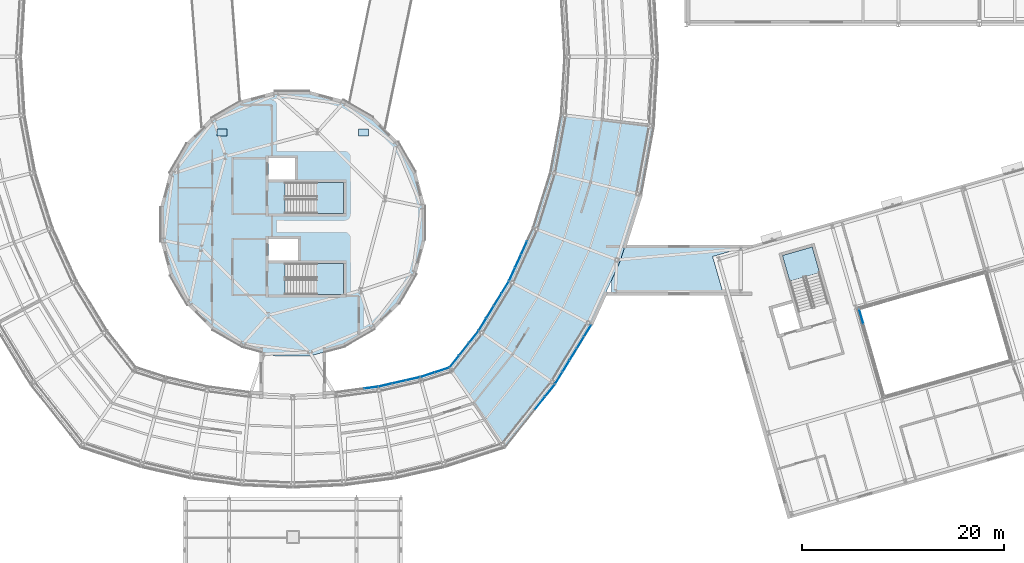
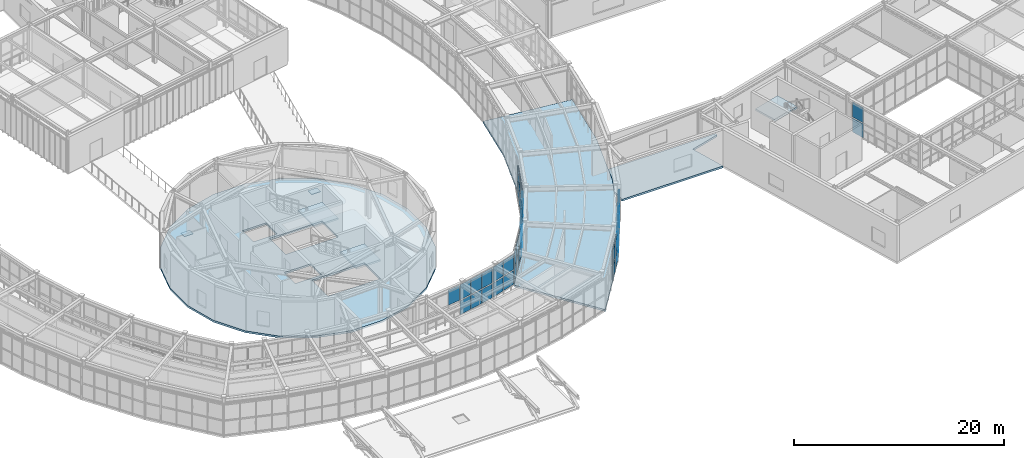
# One storey, part 60 of 103: 49 plates, 6 slabs, 12 elements without a shape of their own.
"""IFC4 building model written with IfcOpenShell, lengths in metres."""

from ifc_helpers import new_model, si_unit, direction, frame, origin, origin_2d, place, context, subcontext, project, spatial, polyline, rectangle, outline, extrude, material, layer, layer_set, type_object, element, aggregate, save


model = new_model("IFC4")

# Units and contexts
model_context = context("Model", 3, precision=1e-05, world=origin(), true_north=direction((0.0, 1.0)))
body_context = subcontext(model_context, "Body", "Model", "MODEL_VIEW")
ifc_project = project(units=[si_unit("LENGTHUNIT", "METRE"), si_unit("AREAUNIT", "SQUARE_METRE"), si_unit("VOLUMEUNIT", "CUBIC_METRE"), si_unit("PLANEANGLEUNIT", "RADIAN"), si_unit("MASSUNIT", "GRAM", prefix="KILO")], contexts=[model_context])

# Site, building, storey
site_placement = place(None, origin())
site = spatial("IfcSite", under=ifc_project, at=site_placement, CompositionType="ELEMENT")
building_placement = place(site_placement, origin())
building = spatial("IfcBuilding", under=site, at=building_placement, Name="Varnklinge Art Gallery", CompositionType="ELEMENT")
storey_placement = place(building_placement, frame((0.0, 0.0, 5.10009765625)))
storey = spatial("IfcBuildingStorey", under=building, at=storey_placement, Name="L01", CompositionType="ELEMENT", Elevation=5.10009765625)

# Curtain wall, plates
ifc_material_1 = material(Name="Anodised Aluminium", Category="aluminium")
curtain_wall_type_1 = type_object("IfcCurtainWallType", Name="CW-R04", PredefinedType="USERDEFINED", material=ifc_material_1)
curtain_wall_1_placement = place(storey_placement, origin())
curtain_wall_1 = element("IfcCurtainWall", 1, at=curtain_wall_1_placement, inside=storey, type_object=curtain_wall_type_1, Name="L01 Curtain Wall CW-V2I-L01-01", ObjectType="UNITISED CURTAIN WALL", PredefinedType="USERDEFINED")
ifc_material_2 = material(Name="Insulated Low-E Triple Glazing", Category="glass")
ifc_layer_1 = layer(ifc_material_2, 0.031982421875)
ifc_layer_set_1 = layer_set([ifc_layer_1], Name="Insulated Low-E Triple Glazing")
plate_type_1 = type_object("IfcPlateType", Name="GLZ-32", PredefinedType="CURTAIN_PANEL", material=ifc_layer_set_1)
plate_1_placement = place(storey_placement, frame((93.385009765625, 27.2763671875, 0.11767578125), z_axis=(0.0, 0.0, 1.0), x_axis=(-0.620737354217, -0.784018582101, 0.0)))
plate_1 = element("IfcPlate", 2, at=plate_1_placement, type_object=plate_type_1, Name="CW-V2I-L01-01 Glazing Panel 1.1", PredefinedType="CURTAIN_PANEL", context=body_context, shape_type="SweptSolid", body=[
    extrude(rectangle(XDim=1.4658203125, YDim=0.031982421875, at=origin_2d()), origin(), (0.0, 0.0, 1.0), 1.614501953125),
])
plate_2_placement = place(storey_placement, frame((93.385009765625, 27.2763671875, 1.84814453125), z_axis=(0.0, 0.0, 1.0), x_axis=(-0.620737354217, -0.784018582101, 0.0)))
plate_2 = element("IfcPlate", 3, at=plate_2_placement, type_object=plate_type_1, Name="CW-V2I-L01-01 Glazing Panel 1.2", PredefinedType="CURTAIN_PANEL", context=body_context, shape_type="SweptSolid", body=[
    extrude(rectangle(XDim=1.4658203125, YDim=0.031982421875, at=origin_2d()), origin(), (0.0, 0.0, 1.0), 1.763671875),
])
plate_3_placement = place(storey_placement, frame((92.430908203125, 26.0712890625, 0.11767578125), z_axis=(0.0, 0.0, 1.0), x_axis=(-0.620737354217, -0.784018582101, 0.0)))
plate_3 = element("IfcPlate", 4, at=plate_3_placement, type_object=plate_type_1, Name="CW-V2I-L01-01 Glazing Panel 2.1", PredefinedType="CURTAIN_PANEL", context=body_context, shape_type="SweptSolid", body=[
    extrude(rectangle(XDim=1.495849609375, YDim=0.031982421875, at=origin_2d()), origin(), (0.0, 0.0, 1.0), 1.614501953125),
])
plate_4_placement = place(storey_placement, frame((92.430908203125, 26.0712890625, 1.84814453125), z_axis=(0.0, 0.0, 1.0), x_axis=(-0.620737354217, -0.784018582101, 0.0)))
plate_4 = element("IfcPlate", 5, at=plate_4_placement, type_object=plate_type_1, Name="CW-V2I-L01-01 Glazing Panel 2.2", PredefinedType="CURTAIN_PANEL", context=body_context, shape_type="SweptSolid", body=[
    extrude(rectangle(XDim=1.495849609375, YDim=0.031982421875, at=origin_2d()), origin(), (0.0, 0.0, 1.0), 1.763671875),
])
plate_5_placement = place(storey_placement, frame((91.47705078125, 24.866455078125, 0.11767578125), z_axis=(0.0, 0.0, 1.0), x_axis=(-0.620737354217, -0.784018582101, 0.0)))
plate_5 = element("IfcPlate", 6, at=plate_5_placement, type_object=plate_type_1, Name="CW-V2I-L01-01 Glazing Panel 3.1", PredefinedType="CURTAIN_PANEL", context=body_context, shape_type="SweptSolid", body=[
    extrude(rectangle(XDim=1.4658203125, YDim=0.031982421875, at=origin_2d()), origin(), (0.0, 0.0, 1.0), 1.614501953125),
])
plate_6_placement = place(storey_placement, frame((91.47705078125, 24.866455078125, 1.84814453125), z_axis=(0.0, 0.0, 1.0), x_axis=(-0.620737354217, -0.784018582101, 0.0)))
plate_6 = element("IfcPlate", 7, at=plate_6_placement, type_object=plate_type_1, Name="CW-V2I-L01-01 Glazing Panel 3.2", PredefinedType="CURTAIN_PANEL", context=body_context, shape_type="SweptSolid", body=[
    extrude(rectangle(XDim=1.4658203125, YDim=0.031982421875, at=origin_2d()), origin(), (0.0, 0.0, 1.0), 1.763671875),
])
aggregate(curtain_wall_1, [plate_1, plate_2, plate_3, plate_4, plate_5, plate_6])

curtain_wall_2_placement = place(storey_placement, origin())
curtain_wall_2 = element("IfcCurtainWall", 8, at=curtain_wall_2_placement, inside=storey, type_object=curtain_wall_type_1, Name="L01 Curtain Wall CW-V2I-L01-02", ObjectType="UNITISED CURTAIN WALL", PredefinedType="USERDEFINED")
plate_7_placement = place(storey_placement, frame((96.496826171875, 32.19091796875, 0.11767578125), z_axis=(0.0, 0.0, 1.0), x_axis=(-0.520860651188, -0.85364171761, 0.0)))
plate_7 = element("IfcPlate", 9, at=plate_7_placement, type_object=plate_type_1, Name="CW-V2I-L01-02 Glazing Panel 1.1", PredefinedType="CURTAIN_PANEL", context=body_context, shape_type="SweptSolid", body=[
    extrude(rectangle(XDim=1.355712890625, YDim=0.031982421875, at=origin_2d()), origin(), (0.0, 0.0, 1.0), 1.614501953125),
])
plate_8_placement = place(storey_placement, frame((96.496826171875, 32.19091796875, 1.84814453125), z_axis=(0.0, 0.0, 1.0), x_axis=(-0.520860651188, -0.85364171761, 0.0)))
plate_8 = element("IfcPlate", 10, at=plate_8_placement, type_object=plate_type_1, Name="CW-V2I-L01-02 Glazing Panel 1.2", PredefinedType="CURTAIN_PANEL", context=body_context, shape_type="SweptSolid", body=[
    extrude(rectangle(XDim=1.355712890625, YDim=0.031982421875, at=origin_2d()), origin(), (0.0, 0.0, 1.0), 1.763671875),
])
plate_9_placement = place(storey_placement, frame((95.753662109375, 30.97314453125, 0.11767578125), z_axis=(0.0, 0.0, 1.0), x_axis=(-0.520860651188, -0.85364171761, 0.0)))
plate_9 = element("IfcPlate", 11, at=plate_9_placement, type_object=plate_type_1, Name="CW-V2I-L01-02 Glazing Panel 2.1", PredefinedType="CURTAIN_PANEL", context=body_context, shape_type="SweptSolid", body=[
    extrude(rectangle(XDim=1.3857421875, YDim=0.031982421875, at=origin_2d()), origin(), (0.0, 0.0, 1.0), 1.614501953125),
])
plate_10_placement = place(storey_placement, frame((95.753662109375, 30.97314453125, 1.84814453125), z_axis=(0.0, 0.0, 1.0), x_axis=(-0.520860651188, -0.85364171761, 0.0)))
plate_10 = element("IfcPlate", 12, at=plate_10_placement, type_object=plate_type_1, Name="CW-V2I-L01-02 Glazing Panel 2.2", PredefinedType="CURTAIN_PANEL", context=body_context, shape_type="SweptSolid", body=[
    extrude(rectangle(XDim=1.3857421875, YDim=0.031982421875, at=origin_2d()), origin(), (0.0, 0.0, 1.0), 1.763671875),
])
plate_11_placement = place(storey_placement, frame((95.002685546875, 29.742431640625, 0.11767578125), z_axis=(0.0, 0.0, 1.0), x_axis=(-0.520860651188, -0.85364171761, 0.0)))
plate_11 = element("IfcPlate", 13, at=plate_11_placement, type_object=plate_type_1, Name="CW-V2I-L01-02 Glazing Panel 3.1", PredefinedType="CURTAIN_PANEL", context=body_context, shape_type="SweptSolid", body=[
    extrude(rectangle(XDim=1.3857421875, YDim=0.031982421875, at=origin_2d()), origin(), (0.0, 0.0, 1.0), 1.614501953125),
])
plate_12_placement = place(storey_placement, frame((95.002685546875, 29.742431640625, 1.84814453125), z_axis=(0.0, 0.0, 1.0), x_axis=(-0.520860651188, -0.85364171761, 0.0)))
plate_12 = element("IfcPlate", 14, at=plate_12_placement, type_object=plate_type_1, Name="CW-V2I-L01-02 Glazing Panel 3.2", PredefinedType="CURTAIN_PANEL", context=body_context, shape_type="SweptSolid", body=[
    extrude(rectangle(XDim=1.3857421875, YDim=0.031982421875, at=origin_2d()), origin(), (0.0, 0.0, 1.0), 1.763671875),
])
plate_13_placement = place(storey_placement, frame((94.259521484375, 28.524658203125, 0.11767578125), z_axis=(0.0, 0.0, 1.0), x_axis=(-0.520860651188, -0.85364171761, 0.0)))
plate_13 = element("IfcPlate", 15, at=plate_13_placement, type_object=plate_type_1, Name="CW-V2I-L01-02 Glazing Panel 4.1", PredefinedType="CURTAIN_PANEL", context=body_context, shape_type="SweptSolid", body=[
    extrude(rectangle(XDim=1.355712890625, YDim=0.031982421875, at=origin_2d()), origin(), (0.0, 0.0, 1.0), 1.614501953125),
])
plate_14_placement = place(storey_placement, frame((94.259521484375, 28.524658203125, 1.84814453125), z_axis=(0.0, 0.0, 1.0), x_axis=(-0.520860651188, -0.85364171761, 0.0)))
plate_14 = element("IfcPlate", 16, at=plate_14_placement, type_object=plate_type_1, Name="CW-V2I-L01-02 Glazing Panel 4.2", PredefinedType="CURTAIN_PANEL", context=body_context, shape_type="SweptSolid", body=[
    extrude(rectangle(XDim=1.355712890625, YDim=0.031982421875, at=origin_2d()), origin(), (0.0, 0.0, 1.0), 1.763671875),
])
aggregate(curtain_wall_2, [plate_7, plate_8, plate_9, plate_10, plate_11, plate_12, plate_13, plate_14])

curtain_wall_3_placement = place(storey_placement, origin())
curtain_wall_3 = element("IfcCurtainWall", 17, at=curtain_wall_3_placement, inside=storey, type_object=curtain_wall_type_1, Name="L01 Curtain Wall CW-V2I-L01-03", ObjectType="UNITISED CURTAIN WALL", PredefinedType="USERDEFINED")
plate_15_placement = place(storey_placement, frame((98.370361328125, 36.101318359375, 0.11767578125), z_axis=(0.0, 0.0, 1.0), x_axis=(-0.413422293217, -0.910539404678, 0.0)))
plate_15 = element("IfcPlate", 18, at=plate_15_placement, type_object=plate_type_1, Name="CW-V2I-L01-03 Glazing Panel 2.1", PredefinedType="CURTAIN_PANEL", context=body_context, shape_type="SweptSolid", body=[
    extrude(rectangle(XDim=1.3857421875, YDim=0.031982421875, at=origin_2d()), origin(), (0.0, 0.0, 1.0), 1.614501953125),
])
plate_16_placement = place(storey_placement, frame((98.370361328125, 36.101318359375, 1.84814453125), z_axis=(0.0, 0.0, 1.0), x_axis=(-0.413422293217, -0.910539404678, 0.0)))
plate_16 = element("IfcPlate", 19, at=plate_16_placement, type_object=plate_type_1, Name="CW-V2I-L01-03 Glazing Panel 2.2", PredefinedType="CURTAIN_PANEL", context=body_context, shape_type="SweptSolid", body=[
    extrude(rectangle(XDim=1.3857421875, YDim=0.031982421875, at=origin_2d()), origin(), (0.0, 0.0, 1.0), 1.763671875),
])
plate_17_placement = place(storey_placement, frame((97.7744140625, 34.788330078125, 0.11767578125), z_axis=(0.0, 0.0, 1.0), x_axis=(-0.413422293217, -0.910539404678, 0.0)))
plate_17 = element("IfcPlate", 20, at=plate_17_placement, type_object=plate_type_1, Name="CW-V2I-L01-03 Glazing Panel 3.1", PredefinedType="CURTAIN_PANEL", context=body_context, shape_type="SweptSolid", body=[
    extrude(rectangle(XDim=1.3857421875, YDim=0.031982421875, at=origin_2d()), origin(), (0.0, 0.0, 1.0), 1.614501953125),
])
plate_18_placement = place(storey_placement, frame((97.7744140625, 34.788330078125, 1.84814453125), z_axis=(0.0, 0.0, 1.0), x_axis=(-0.413422293217, -0.910539404678, 0.0)))
plate_18 = element("IfcPlate", 21, at=plate_18_placement, type_object=plate_type_1, Name="CW-V2I-L01-03 Glazing Panel 3.2", PredefinedType="CURTAIN_PANEL", context=body_context, shape_type="SweptSolid", body=[
    extrude(rectangle(XDim=1.3857421875, YDim=0.031982421875, at=origin_2d()), origin(), (0.0, 0.0, 1.0), 1.763671875),
])
plate_19_placement = place(storey_placement, frame((97.1845703125, 33.4892578125, 0.11767578125), z_axis=(0.0, 0.0, 1.0), x_axis=(-0.413422293217, -0.910539404678, 0.0)))
plate_19 = element("IfcPlate", 22, at=plate_19_placement, type_object=plate_type_1, Name="CW-V2I-L01-03 Glazing Panel 4.1", PredefinedType="CURTAIN_PANEL", context=body_context, shape_type="SweptSolid", body=[
    extrude(rectangle(XDim=1.355712890625, YDim=0.031982421875, at=origin_2d()), origin(), (0.0, 0.0, 1.0), 1.614501953125),
])
plate_20_placement = place(storey_placement, frame((97.1845703125, 33.4892578125, 1.84814453125), z_axis=(0.0, 0.0, 1.0), x_axis=(-0.413422293217, -0.910539404678, 0.0)))
plate_20 = element("IfcPlate", 23, at=plate_20_placement, type_object=plate_type_1, Name="CW-V2I-L01-03 Glazing Panel 4.2", PredefinedType="CURTAIN_PANEL", context=body_context, shape_type="SweptSolid", body=[
    extrude(rectangle(XDim=1.355712890625, YDim=0.031982421875, at=origin_2d()), origin(), (0.0, 0.0, 1.0), 1.763671875),
])
aggregate(curtain_wall_3, [plate_15, plate_16, plate_17, plate_18, plate_19, plate_20])

# Curtain wall, plate
curtain_wall_4_placement = place(storey_placement, origin())
curtain_wall_4 = element("IfcCurtainWall", 24, at=curtain_wall_4_placement, inside=storey, type_object=curtain_wall_type_1, Name="L01 Curtain Wall CW-V2I-L01-38", ObjectType="UNITISED CURTAIN WALL", PredefinedType="USERDEFINED")
plate_21_placement = place(storey_placement, frame((83.2265625, 22.265869140625, 1.84814453125), z_axis=(0.0, 0.0, 1.0), x_axis=(-0.990983199715, -0.133986185418, 0.0)))
plate_21 = element("IfcPlate", 25, at=plate_21_placement, type_object=plate_type_1, Name="CW-V2I-L01-38 Glazing Panel 1.2", PredefinedType="CURTAIN_PANEL", context=body_context, shape_type="SweptSolid", body=[
    extrude(rectangle(XDim=1.328125, YDim=0.031982421875, at=origin_2d()), origin(), (0.0, 0.0, 1.0), 1.763671875),
])
aggregate(curtain_wall_4, [plate_21])

# Curtain wall, plates
curtain_wall_5_placement = place(storey_placement, origin())
curtain_wall_5 = element("IfcCurtainWall", 26, at=curtain_wall_5_placement, inside=storey, type_object=curtain_wall_type_1, Name="L01 Curtain Wall CW-V2I-L01-39", ObjectType="UNITISED CURTAIN WALL", PredefinedType="USERDEFINED")
plate_22_placement = place(storey_placement, frame((87.37451171875, 23.143798828125, 0.11767578125), z_axis=(0.0, 0.0, 1.0), x_axis=(-0.975071959883, -0.221888875454, 0.0)))
plate_22 = element("IfcPlate", 27, at=plate_22_placement, type_object=plate_type_1, Name="CW-V2I-L01-39 Glazing Panel 1.1", PredefinedType="CURTAIN_PANEL", context=body_context, shape_type="SweptSolid", body=[
    extrude(rectangle(XDim=1.328125, YDim=0.031982421875, at=origin_2d()), origin(), (0.0, 0.0, 1.0), 1.614501953125),
])
plate_23_placement = place(storey_placement, frame((87.37451171875, 23.143798828125, 1.84814453125), z_axis=(0.0, 0.0, 1.0), x_axis=(-0.975071959883, -0.221888875454, 0.0)))
plate_23 = element("IfcPlate", 28, at=plate_23_placement, type_object=plate_type_1, Name="CW-V2I-L01-39 Glazing Panel 1.2", PredefinedType="CURTAIN_PANEL", context=body_context, shape_type="SweptSolid", body=[
    extrude(rectangle(XDim=1.328125, YDim=0.031982421875, at=origin_2d()), origin(), (0.0, 0.0, 1.0), 1.763671875),
])
plate_24_placement = place(storey_placement, frame((86.01025390625, 22.83349609375, 0.11767578125), z_axis=(0.0, 0.0, 1.0), x_axis=(-0.975071959883, -0.221888875454, 0.0)))
plate_24 = element("IfcPlate", 29, at=plate_24_placement, type_object=plate_type_1, Name="CW-V2I-L01-39 Glazing Panel 2.1", PredefinedType="CURTAIN_PANEL", context=body_context, shape_type="SweptSolid", body=[
    extrude(rectangle(XDim=1.358154296875, YDim=0.031982421875, at=origin_2d()), origin(), (0.0, 0.0, 1.0), 1.614501953125),
])
plate_25_placement = place(storey_placement, frame((86.01025390625, 22.83349609375, 1.84814453125), z_axis=(0.0, 0.0, 1.0), x_axis=(-0.975071959883, -0.221888875454, 0.0)))
plate_25 = element("IfcPlate", 30, at=plate_25_placement, type_object=plate_type_1, Name="CW-V2I-L01-39 Glazing Panel 2.2", PredefinedType="CURTAIN_PANEL", context=body_context, shape_type="SweptSolid", body=[
    extrude(rectangle(XDim=1.358154296875, YDim=0.031982421875, at=origin_2d()), origin(), (0.0, 0.0, 1.0), 1.763671875),
])
plate_26_placement = place(storey_placement, frame((84.64599609375, 22.52294921875, 0.11767578125), z_axis=(0.0, 0.0, 1.0), x_axis=(-0.975071959883, -0.221888875454, 0.0)))
plate_26 = element("IfcPlate", 31, at=plate_26_placement, type_object=plate_type_1, Name="CW-V2I-L01-39 Glazing Panel 3.1", PredefinedType="CURTAIN_PANEL", context=body_context, shape_type="SweptSolid", body=[
    extrude(rectangle(XDim=1.328125, YDim=0.031982421875, at=origin_2d()), origin(), (0.0, 0.0, 1.0), 1.614501953125),
])
plate_27_placement = place(storey_placement, frame((84.64599609375, 22.52294921875, 1.84814453125), z_axis=(0.0, 0.0, 1.0), x_axis=(-0.975071959883, -0.221888875454, 0.0)))
plate_27 = element("IfcPlate", 32, at=plate_27_placement, type_object=plate_type_1, Name="CW-V2I-L01-39 Glazing Panel 3.2", PredefinedType="CURTAIN_PANEL", context=body_context, shape_type="SweptSolid", body=[
    extrude(rectangle(XDim=1.328125, YDim=0.031982421875, at=origin_2d()), origin(), (0.0, 0.0, 1.0), 1.763671875),
])
aggregate(curtain_wall_5, [plate_22, plate_23, plate_24, plate_25, plate_26, plate_27])

curtain_wall_6_placement = place(storey_placement, origin())
curtain_wall_6 = element("IfcCurtainWall", 33, at=curtain_wall_6_placement, inside=storey, type_object=curtain_wall_type_1, Name="L01 Curtain Wall CW-V2I-L01-40", ObjectType="UNITISED CURTAIN WALL", PredefinedType="USERDEFINED")
plate_28_placement = place(storey_placement, frame((90.244873046875, 24.006103515625, 0.11767578125), z_axis=(0.0, 0.0, 1.0), x_axis=(-0.951272019071, -0.30835295642, 0.0)))
plate_28 = element("IfcPlate", 34, at=plate_28_placement, type_object=plate_type_1, Name="CW-V2I-L01-40 Glazing Panel 1.1", PredefinedType="CURTAIN_PANEL", context=body_context, shape_type="SweptSolid", body=[
    extrude(rectangle(XDim=1.442138671875, YDim=0.031982421875, at=origin_2d()), origin(), (0.0, 0.0, 1.0), 1.614501953125),
])
plate_29_placement = place(storey_placement, frame((90.244873046875, 24.006103515625, 1.84814453125), z_axis=(0.0, 0.0, 1.0), x_axis=(-0.951272019071, -0.30835295642, 0.0)))
plate_29 = element("IfcPlate", 35, at=plate_29_placement, type_object=plate_type_1, Name="CW-V2I-L01-40 Glazing Panel 1.2", PredefinedType="CURTAIN_PANEL", context=body_context, shape_type="SweptSolid", body=[
    extrude(rectangle(XDim=1.442138671875, YDim=0.031982421875, at=origin_2d()), origin(), (0.0, 0.0, 1.0), 1.763671875),
])
plate_30_placement = place(storey_placement, frame((88.819580078125, 23.54443359375, 0.11767578125), z_axis=(0.0, 0.0, 1.0), x_axis=(-0.951272019071, -0.30835295642, 0.0)))
plate_30 = element("IfcPlate", 36, at=plate_30_placement, type_object=plate_type_1, Name="CW-V2I-L01-40 Glazing Panel 2.1", PredefinedType="CURTAIN_PANEL", context=body_context, shape_type="SweptSolid", body=[
    extrude(rectangle(XDim=1.442138671875, YDim=0.031982421875, at=origin_2d()), origin(), (0.0, 0.0, 1.0), 1.614501953125),
])
plate_31_placement = place(storey_placement, frame((88.819580078125, 23.54443359375, 1.84814453125), z_axis=(0.0, 0.0, 1.0), x_axis=(-0.951272019071, -0.30835295642, 0.0)))
plate_31 = element("IfcPlate", 37, at=plate_31_placement, type_object=plate_type_1, Name="CW-V2I-L01-40 Glazing Panel 2.2", PredefinedType="CURTAIN_PANEL", context=body_context, shape_type="SweptSolid", body=[
    extrude(rectangle(XDim=1.442138671875, YDim=0.031982421875, at=origin_2d()), origin(), (0.0, 0.0, 1.0), 1.763671875),
])
aggregate(curtain_wall_6, [plate_28, plate_29, plate_30, plate_31])

ifc_material_3 = material(Name="Anodised Aluminium", Category="aluminium")
curtain_wall_type_2 = type_object("IfcCurtainWallType", Name="CW-C02", PredefinedType="USERDEFINED", material=ifc_material_3)
curtain_wall_7_placement = place(storey_placement, origin())
curtain_wall_7 = element("IfcCurtainWall", 38, at=curtain_wall_7_placement, inside=storey, type_object=curtain_wall_type_2, Name="L01 Curtain Wall CW-V6C-L01-4", ObjectType="UNITISED CURTAIN WALL", PredefinedType="USERDEFINED")
plate_32_placement = place(storey_placement, frame((131.722412109375, 29.298583984375, 0.117919921875), z_axis=(0.0, 0.0, 1.0), x_axis=(-0.275637355817, 0.961261695938, 0.0)))
plate_32 = element("IfcPlate", 39, at=plate_32_placement, type_object=plate_type_1, Name="CW-V6C-L01-4 Glazing Panel 6.1", PredefinedType="CURTAIN_PANEL", context=body_context, shape_type="SweptSolid", body=[
    extrude(rectangle(XDim=1.4140625, YDim=0.031982421875, at=origin_2d()), origin(), (0.0, 0.0, 1.0), 1.6240234375),
])
plate_33_placement = place(storey_placement, frame((131.722412109375, 29.298583984375, 1.85791015625), z_axis=(0.0, 0.0, 1.0), x_axis=(-0.275637355817, 0.961261695938, 0.0)))
plate_33 = element("IfcPlate", 40, at=plate_33_placement, type_object=plate_type_1, Name="CW-V6C-L01-4 Glazing Panel 6.2", PredefinedType="CURTAIN_PANEL", context=body_context, shape_type="SweptSolid", body=[
    extrude(rectangle(XDim=1.4140625, YDim=0.031982421875, at=origin_2d()), origin(), (0.0, 0.0, 1.0), 1.77392578125),
])
aggregate(curtain_wall_7, [plate_32, plate_33])

ifc_material_4 = material(Name="Anodised Aluminium", Category="aluminium")
curtain_wall_type_3 = type_object("IfcCurtainWallType", Name="CW-R02", PredefinedType="USERDEFINED", material=ifc_material_4)
curtain_wall_8_placement = place(storey_placement, origin())
curtain_wall_8 = element("IfcCurtainWall", 41, at=curtain_wall_8_placement, inside=storey, type_object=curtain_wall_type_3, Name="L01 Curtain Wall CW-V2O-L01-01", ObjectType="UNITISED CURTAIN WALL", PredefinedType="USERDEFINED")
ifc_material_5 = material(Name="Insulated Low-E Triple Glazing", Category="glass")
ifc_layer_2 = layer(ifc_material_5, 0.0380859375)
ifc_layer_set_2 = layer_set([ifc_layer_2], Name="Insulated Low-E Triple Glazing")
plate_type_2 = type_object("IfcPlateType", Name="GLZ-38", PredefinedType="CURTAIN_PANEL", material=ifc_layer_set_2)
plate_34_placement = place(storey_placement, frame((99.947021484375, 20.743408203125, 0.14794921875), z_axis=(0.0, 0.0, 1.0), x_axis=(0.620737354217, 0.784018582101, 0.0)))
plate_34 = element("IfcPlate", 42, at=plate_34_placement, type_object=plate_type_2, Name="CW-V2O-L01-01 Glazing Panel 4.1", PredefinedType="CURTAIN_PANEL", context=body_context, shape_type="SweptSolid", body=[
    extrude(rectangle(XDim=1.5390625, YDim=0.0380859375, at=origin_2d()), origin(), (0.0, 0.0, 1.0), 1.5693359375),
])
plate_35_placement = place(storey_placement, frame((99.947021484375, 20.743408203125, 1.86328125), z_axis=(0.0, 0.0, 1.0), x_axis=(0.620737354217, 0.784018582101, 0.0)))
plate_35 = element("IfcPlate", 43, at=plate_35_placement, type_object=plate_type_2, Name="CW-V2O-L01-01 Glazing Panel 4.2", PredefinedType="CURTAIN_PANEL", context=body_context, shape_type="SweptSolid", body=[
    extrude(rectangle(XDim=1.5390625, YDim=0.0380859375, at=origin_2d()), origin(), (0.0, 0.0, 1.0), 1.718505859375),
])
plate_36_placement = place(storey_placement, frame((100.930419921875, 21.985107421875, 0.14794921875), z_axis=(0.0, 0.0, 1.0), x_axis=(0.620737354217, 0.784018582101, 0.0)))
plate_36 = element("IfcPlate", 44, at=plate_36_placement, type_object=plate_type_2, Name="CW-V2O-L01-01 Glazing Panel 5.1", PredefinedType="CURTAIN_PANEL", context=body_context, shape_type="SweptSolid", body=[
    extrude(rectangle(XDim=1.506591796875, YDim=0.0380859375, at=origin_2d()), origin(), (0.0, 0.0, 1.0), 1.5693359375),
])
plate_37_placement = place(storey_placement, frame((100.930419921875, 21.985107421875, 1.86328125), z_axis=(0.0, 0.0, 1.0), x_axis=(0.620737354217, 0.784018582101, 0.0)))
plate_37 = element("IfcPlate", 45, at=plate_37_placement, type_object=plate_type_2, Name="CW-V2O-L01-01 Glazing Panel 5.2", PredefinedType="CURTAIN_PANEL", context=body_context, shape_type="SweptSolid", body=[
    extrude(rectangle(XDim=1.506591796875, YDim=0.0380859375, at=origin_2d()), origin(), (0.0, 0.0, 1.0), 1.718505859375),
])
aggregate(curtain_wall_8, [plate_34, plate_35, plate_36, plate_37])

curtain_wall_9_placement = place(storey_placement, origin())
curtain_wall_9 = element("IfcCurtainWall", 46, at=curtain_wall_9_placement, inside=storey, type_object=curtain_wall_type_3, Name="L01 Curtain Wall CW-V2O-L01-02", ObjectType="UNITISED CURTAIN WALL", PredefinedType="USERDEFINED")
plate_38_placement = place(storey_placement, frame((101.80419921875, 23.226806640625, 0.14794921875), z_axis=(0.0, 0.0, 1.0), x_axis=(0.520860651188, 0.85364171761, 0.0)))
plate_38 = element("IfcPlate", 47, at=plate_38_placement, type_object=plate_type_2, Name="CW-V2O-L01-02 Glazing Panel 1.1", PredefinedType="CURTAIN_PANEL", context=body_context, shape_type="SweptSolid", body=[
    extrude(rectangle(XDim=1.2841796875, YDim=0.0380859375, at=origin_2d()), origin(), (0.0, 0.0, 1.0), 1.5693359375),
])
plate_39_placement = place(storey_placement, frame((101.80419921875, 23.226806640625, 1.86328125), z_axis=(0.0, 0.0, 1.0), x_axis=(0.520860651188, 0.85364171761, 0.0)))
plate_39 = element("IfcPlate", 48, at=plate_39_placement, type_object=plate_type_2, Name="CW-V2O-L01-02 Glazing Panel 1.2", PredefinedType="CURTAIN_PANEL", context=body_context, shape_type="SweptSolid", body=[
    extrude(rectangle(XDim=1.2841796875, YDim=0.0380859375, at=origin_2d()), origin(), (0.0, 0.0, 1.0), 1.718505859375),
])
plate_40_placement = place(storey_placement, frame((102.513427734375, 24.38916015625, 0.14794921875), z_axis=(0.0, 0.0, 1.0), x_axis=(0.520860651188, 0.85364171761, 0.0)))
plate_40 = element("IfcPlate", 49, at=plate_40_placement, type_object=plate_type_2, Name="CW-V2O-L01-02 Glazing Panel 2.1", PredefinedType="CURTAIN_PANEL", context=body_context, shape_type="SweptSolid", body=[
    extrude(rectangle(XDim=1.316650390625, YDim=0.0380859375, at=origin_2d()), origin(), (0.0, 0.0, 1.0), 1.5693359375),
])
plate_41_placement = place(storey_placement, frame((102.513427734375, 24.38916015625, 1.86328125), z_axis=(0.0, 0.0, 1.0), x_axis=(0.520860651188, 0.85364171761, 0.0)))
plate_41 = element("IfcPlate", 50, at=plate_41_placement, type_object=plate_type_2, Name="CW-V2O-L01-02 Glazing Panel 2.2", PredefinedType="CURTAIN_PANEL", context=body_context, shape_type="SweptSolid", body=[
    extrude(rectangle(XDim=1.316650390625, YDim=0.0380859375, at=origin_2d()), origin(), (0.0, 0.0, 1.0), 1.718505859375),
])
plate_42_placement = place(storey_placement, frame((103.231201171875, 25.565185546875, 0.14794921875), z_axis=(0.0, 0.0, 1.0), x_axis=(0.520860651188, 0.85364171761, 0.0)))
plate_42 = element("IfcPlate", 51, at=plate_42_placement, type_object=plate_type_2, Name="CW-V2O-L01-02 Glazing Panel 3.1", PredefinedType="CURTAIN_PANEL", context=body_context, shape_type="SweptSolid", body=[
    extrude(rectangle(XDim=1.316650390625, YDim=0.0380859375, at=origin_2d()), origin(), (0.0, 0.0, 1.0), 1.5693359375),
])
plate_43_placement = place(storey_placement, frame((103.231201171875, 25.565185546875, 1.86328125), z_axis=(0.0, 0.0, 1.0), x_axis=(0.520860651188, 0.85364171761, 0.0)))
plate_43 = element("IfcPlate", 52, at=plate_43_placement, type_object=plate_type_2, Name="CW-V2O-L01-02 Glazing Panel 3.2", PredefinedType="CURTAIN_PANEL", context=body_context, shape_type="SweptSolid", body=[
    extrude(rectangle(XDim=1.316650390625, YDim=0.0380859375, at=origin_2d()), origin(), (0.0, 0.0, 1.0), 1.718505859375),
])
plate_44_placement = place(storey_placement, frame((103.948974609375, 26.7412109375, 0.14794921875), z_axis=(0.0, 0.0, 1.0), x_axis=(0.520860651188, 0.85364171761, 0.0)))
plate_44 = element("IfcPlate", 53, at=plate_44_placement, type_object=plate_type_2, Name="CW-V2O-L01-02 Glazing Panel 4.1", PredefinedType="CURTAIN_PANEL", context=body_context, shape_type="SweptSolid", body=[
    extrude(rectangle(XDim=1.316650390625, YDim=0.0380859375, at=origin_2d()), origin(), (0.0, 0.0, 1.0), 1.5693359375),
])
plate_45_placement = place(storey_placement, frame((103.948974609375, 26.7412109375, 1.86328125), z_axis=(0.0, 0.0, 1.0), x_axis=(0.520860651188, 0.85364171761, 0.0)))
plate_45 = element("IfcPlate", 54, at=plate_45_placement, type_object=plate_type_2, Name="CW-V2O-L01-02 Glazing Panel 4.2", PredefinedType="CURTAIN_PANEL", context=body_context, shape_type="SweptSolid", body=[
    extrude(rectangle(XDim=1.316650390625, YDim=0.0380859375, at=origin_2d()), origin(), (0.0, 0.0, 1.0), 1.718505859375),
])
plate_46_placement = place(storey_placement, frame((104.658203125, 27.9033203125, 0.14794921875), z_axis=(0.0, 0.0, 1.0), x_axis=(0.520860651188, 0.85364171761, 0.0)))
plate_46 = element("IfcPlate", 55, at=plate_46_placement, type_object=plate_type_2, Name="CW-V2O-L01-02 Glazing Panel 5.1", PredefinedType="CURTAIN_PANEL", context=body_context, shape_type="SweptSolid", body=[
    extrude(rectangle(XDim=1.2841796875, YDim=0.0380859375, at=origin_2d()), origin(), (0.0, 0.0, 1.0), 1.5693359375),
])
plate_47_placement = place(storey_placement, frame((104.658203125, 27.9033203125, 1.86328125), z_axis=(0.0, 0.0, 1.0), x_axis=(0.520860651188, 0.85364171761, 0.0)))
plate_47 = element("IfcPlate", 56, at=plate_47_placement, type_object=plate_type_2, Name="CW-V2O-L01-02 Glazing Panel 5.2", PredefinedType="CURTAIN_PANEL", context=body_context, shape_type="SweptSolid", body=[
    extrude(rectangle(XDim=1.2841796875, YDim=0.0380859375, at=origin_2d()), origin(), (0.0, 0.0, 1.0), 1.718505859375),
])
aggregate(curtain_wall_9, [plate_38, plate_39, plate_40, plate_41, plate_42, plate_43, plate_44, plate_45, plate_46, plate_47])

# Plates
ifc_material_6 = material(Name="Steel S355", Category="steel")
ifc_layer_3 = layer(ifc_material_6, 0.06005859375)
ifc_layer_set_3 = layer_set([ifc_layer_3], Name="Steel S355")
plate_type_3 = type_object("IfcPlateType", Name="PLT-BP3", PredefinedType="SHEET", material=ifc_layer_set_3)
for number, where, z_axis, x_axis, name in (
    (57, (68.5, 47.5, -0.280029296875), (0.0, 0.0, 1.0), (1.0, 0.0, 0.0), "L01 West Sculpture Court Bridge 500mm Sliding Bearing Seat Plate ENDA"),
    (58, (82.5, 47.5, -0.280029296875), (0.0, 0.0, 1.0), (1.0, 0.0, 0.0), "L01 East Sculpture Court Bridge 500mm Sliding Bearing Seat Plate ENDA"),
):
    element("IfcPlate", number, at=place(storey_placement, frame(where, z_axis=z_axis, x_axis=x_axis)), inside=storey, type_object=plate_type_3, Name=name, PredefinedType="SHEET", context=body_context, shape_type="SweptSolid", body=[
        extrude(rectangle(XDim=1.0, YDim=0.699951171875, at=origin_2d()), origin(), (0.0, 0.0, 1.0), 0.06005859375),
    ])

# Slabs
ifc_material_7 = material(Name="Concrete C35/45", Category="concrete")
ifc_layer_4 = layer(ifc_material_7, 0.219970703125)
ifc_layer_set_4 = layer_set([ifc_layer_4], Name="Concrete C35/45")
slab_type_1 = type_object("IfcSlabType", Name="SLB-F22", PredefinedType="FLOOR", material=ifc_layer_set_4)
slab_1_placement = place(storey_placement, frame((0.0, 0.0, -0.22021484375)))
element("IfcSlab", 59, at=slab_1_placement, inside=storey, type_object=slab_type_1, Name="L01 Curved Gallery Ring Sector 1", PredefinedType="FLOOR", context=body_context, shape_type="SweptSolid", body=[
    extrude(outline(polyline([(101.43701171875, 22.625), (105.025390625, 28.505126953125), (107.873291015625, 34.77783203125), (109.93798828125, 41.349853515625), (111.189453125, 48.1240234375), (102.04052734375, 49.24365234375), (100.9931640625, 43.572509765625), (99.264404296875, 38.0703125), (96.88037109375, 32.819091796875), (93.8759765625, 27.896484375), (90.986083984375, 24.246337890625), (96.470703125, 16.352783203125), (101.43701171875, 22.625)])), origin(), (0.0, 0.0, 1.0), 0.22021484375),
])
slab_2_placement = place(storey_placement, frame((0.0, 0.0, -0.22021484375)))
element("IfcSlab", 60, at=slab_2_placement, inside=storey, type_object=slab_type_1, Name="L01 Pavilion Drum Floor Slab", PredefinedType="FLOOR", context=body_context, shape_type="SweptSolid", body=[
    extrude(outline(polyline([(85.972412109375, 30.46435546875), (87.6953125, 33.448486328125), (88.587158203125, 36.777099609375), (88.587158203125, 40.222900390625), (87.6953125, 43.551513671875), (85.972412109375, 46.53564453125), (83.53564453125, 48.972412109375), (80.551513671875, 50.6953125), (77.222900390625, 51.587158203125), (73.777099609375, 51.587158203125), (70.448486328125, 50.6953125), (67.46435546875, 48.972412109375), (65.027587890625, 46.53564453125), (63.3046875, 43.551513671875), (62.412841796875, 40.222900390625), (62.412841796875, 36.777099609375), (63.3046875, 33.448486328125), (65.027587890625, 30.46435546875), (67.46435546875, 28.027587890625), (70.448486328125, 26.3046875), (73.777099609375, 25.412841796875), (77.222900390625, 25.412841796875), (80.551513671875, 26.3046875), (83.53564453125, 28.027587890625), (85.972412109375, 30.46435546875)]), holes=[polyline([(74.72509765625, 31.5), (74.72509765625, 34.56005859375), (80.5, 34.56005859375), (80.5, 31.5), (74.72509765625, 31.5)]), polyline([(73.10009765625, 36.9599609375), (76.0, 36.9599609375), (76.0, 34.860107421875), (73.10009765625, 34.860107421875), (73.10009765625, 36.9599609375)]), polyline([(80.5, 42.56005859375), (80.5, 39.5), (74.72509765625, 39.5), (74.72509765625, 42.56005859375), (80.5, 42.56005859375)]), polyline([(75.699951171875, 42.860107421875), (73.10009765625, 42.860107421875), (73.10009765625, 44.9599609375), (75.699951171875, 44.9599609375), (75.699951171875, 42.860107421875)])]), origin(), (0.0, 0.0, 1.0), 0.22021484375),
])
slab_3_placement = place(storey_placement, frame((0.0, 0.0, -0.22021484375)))
element("IfcSlab", 61, at=slab_3_placement, inside=storey, type_object=slab_type_1, Name="L01 LNK-V6 Gallery Link Slab", PredefinedType="FLOOR", context=body_context, shape_type="SweptSolid", body=[
    extrude(outline(polyline([(120.199951171875, 36.1533203125), (120.199951171875, 36.39990234375), (108.383056640625, 36.39990234375), (107.873291015625, 34.77783203125), (107.0, 32.85400390625), (107.0, 31.39990234375), (118.115966796875, 31.39990234375), (117.014892578125, 35.239990234375), (120.199951171875, 36.1533203125)])), origin(), (0.0, 0.0, 1.0), 0.22021484375),
])

# Stair, slab
ifc_material_8 = material(Name="Concrete C40/50", Category="concrete")
stair_type = type_object("IfcStairType", Name="STR-C4420", PredefinedType="HALF_TURN_STAIR", material=ifc_material_8)
stair_1_placement = place(storey_placement, origin())
stair_1 = element("IfcStair", 62, at=stair_1_placement, inside=storey, type_object=stair_type, Name="L01 Core C1 Stair ST-01", PredefinedType="HALF_TURN_STAIR")
ifc_material_9 = material(Name="Concrete C40/50", Category="concrete")
ifc_layer_5 = layer(ifc_material_9, 0.199951171875)
ifc_layer_set_5 = layer_set([ifc_layer_5], Name="Concrete C40/50")
slab_type_2 = type_object("IfcSlabType", Name="SLB-LND20", PredefinedType="LANDING", material=ifc_layer_set_5)
slab_4_placement = place(storey_placement, frame((0.0, 0.0, 2.010009765625)))
slab_4 = element("IfcSlab", 63, at=slab_4_placement, type_object=slab_type_2, Name="ST-01 landing 1", PredefinedType="LANDING", context=body_context, shape_type="SweptSolid", body=[
    extrude(outline(polyline([(77.860107421875, 31.5), (80.5, 31.5), (80.5, 34.56005859375), (77.860107421875, 34.56005859375), (77.860107421875, 31.5)])), origin(), (0.0, 0.0, 1.0), 0.199951171875),
])
aggregate(stair_1, [slab_4])

stair_2_placement = place(storey_placement, origin())
stair_2 = element("IfcStair", 64, at=stair_2_placement, inside=storey, type_object=stair_type, Name="L01 Core C2 Stair ST-02", PredefinedType="HALF_TURN_STAIR")
slab_5_placement = place(storey_placement, frame((0.0, 0.0, 2.010009765625)))
slab_5 = element("IfcSlab", 65, at=slab_5_placement, type_object=slab_type_2, Name="ST-02 landing 1", PredefinedType="LANDING", context=body_context, shape_type="SweptSolid", body=[
    extrude(outline(polyline([(77.860107421875, 39.5), (80.5, 39.5), (80.5, 42.56005859375), (77.860107421875, 42.56005859375), (77.860107421875, 39.5)])), origin(), (0.0, 0.0, 1.0), 0.199951171875),
])
aggregate(stair_2, [slab_5])

stair_3_placement = place(storey_placement, origin())
stair_3 = element("IfcStair", 66, at=stair_3_placement, inside=storey, type_object=stair_type, Name="L01 Core C5 Stair ST-05", PredefinedType="HALF_TURN_STAIR")
slab_6_placement = place(storey_placement, frame((0.0, 0.0, 2.010009765625)))
slab_6 = element("IfcSlab", 67, at=slab_6_placement, type_object=slab_type_2, Name="ST-05 landing 1", PredefinedType="LANDING", context=body_context, shape_type="SweptSolid", body=[
    extrude(outline(polyline([(127.591552734375, 33.645751953125), (126.86376953125, 36.18359375), (123.92236328125, 35.340087890625), (124.650146484375, 32.80224609375), (127.591552734375, 33.645751953125)])), origin(), (0.0, 0.0, 1.0), 0.199951171875),
])
aggregate(stair_3, [slab_6])

save(model, "model.ifc")
